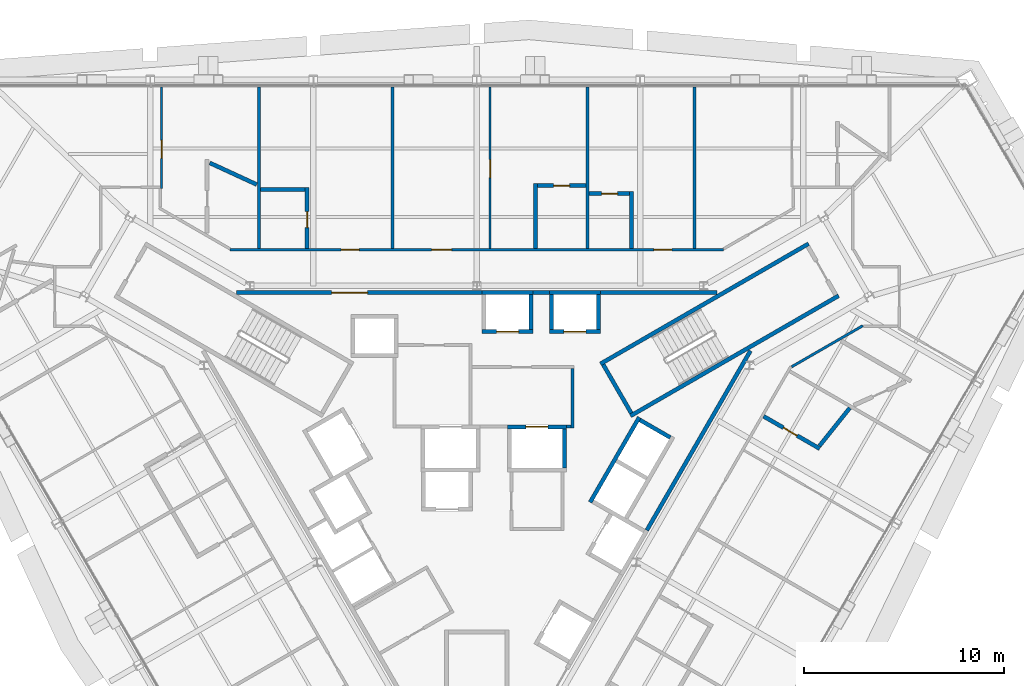
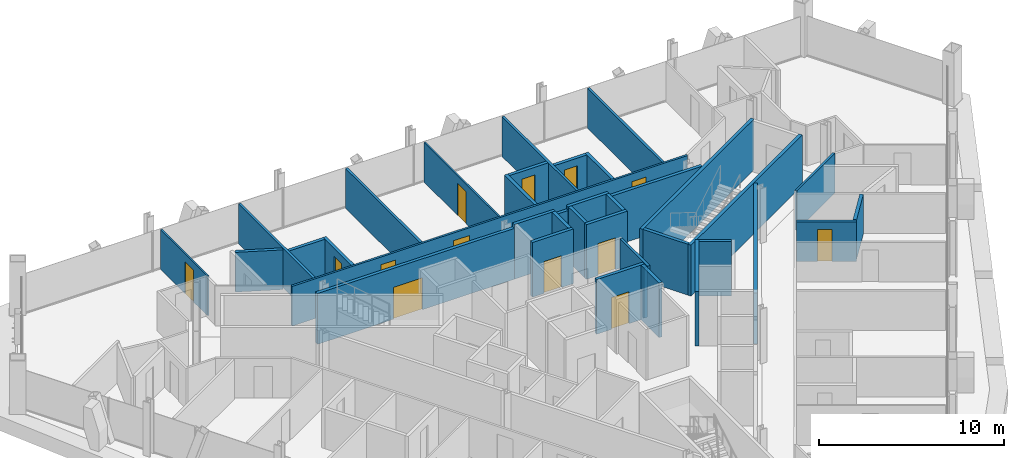
# One storey, part 16 of 19: 37 walls, 13 doors, 13 openings.
"""IFC4 building model written with IfcOpenShell, lengths in metres."""

from ifc_helpers import new_model, si_unit, direction, frame, frame_2d, origin, place, context, subcontext, project, spatial, rectangle, extrude, material, layer, layer_set, type_object, element, fill, save


model = new_model("IFC4")

# Units and contexts
model_context = context("Model", 3, precision=1e-05, world=origin(), true_north=direction((0.0, 1.0)))
body_context = subcontext(model_context, "Body", "Model", "MODEL_VIEW")
ifc_project = project(units=[si_unit("LENGTHUNIT", "METRE"), si_unit("AREAUNIT", "SQUARE_METRE"), si_unit("VOLUMEUNIT", "CUBIC_METRE"), si_unit("PLANEANGLEUNIT", "RADIAN"), si_unit("MASSUNIT", "GRAM", prefix="KILO")], contexts=[model_context])

# Site, building, storey
site_placement = place(None, origin())
site = spatial("IfcSite", under=ifc_project, at=site_placement, CompositionType="ELEMENT")
building_placement = place(site_placement, origin())
building = spatial("IfcBuilding", under=site, at=building_placement, Name="Verrane Prism Tower", CompositionType="ELEMENT")
storey_placement = place(building_placement, frame((0.0, 0.0, 125.199951171875)))
storey = spatial("IfcBuildingStorey", under=building, at=storey_placement, Name="L30", CompositionType="ELEMENT", Elevation=125.199951171875)

# Wall, opening, door
ifc_material_1 = material(Name="Gypsum board partition", Category="other")
ifc_layer_1 = layer(ifc_material_1, 0.199951171875)
ifc_layer_set_1 = layer_set([ifc_layer_1], Name="CW-200 core boundary wall 2 h")
wall_type_1 = type_object("IfcWallType", Name="CW-200 core boundary wall 2 h", PredefinedType="PARTITIONING", material=ifc_layer_set_1)
wall_1_placement = place(storey_placement, frame((0.262939453125, 8.860107421875, 0.0), z_axis=(0.0, 0.0, 1.0), x_axis=(-1.0, 0.0, 0.0)))
wall_1 = element("IfcWall", 1, at=wall_1_placement, inside=storey, type_object=wall_type_1, Name="Core boundary wall CW3-002", PredefinedType="PARTITIONING", context=body_context, shape_type="SweptSolid", body=[
    extrude(rectangle(XDim=12.25390625, YDim=0.199951171875, at=frame_2d((6.126953125, 0.0))), origin(), (0.0, 0.0, 1.0), 3.35009765625),
])
opening_1_placement = place(wall_1_placement, frame((5.708984375, 0.0, 0.0)))
opening_1 = element("IfcOpeningElement", 2, at=opening_1_placement, cuts=wall_1, Name="Opening D29511", PredefinedType="OPENING", context=body_context, shape_type="SweptSolid", body=[
    extrude(rectangle(XDim=1.800048828125, YDim=2.10009765625, at=frame_2d((0.89990234375, 1.050048828125))), frame((0.0, 0.10986328125, 0.0), z_axis=(0.0, -1.0, 0.0), x_axis=(1.0, 0.0, 0.0)), (0.0, 0.0, 1.0), 0.219970703125),
])
ifc_material_2 = material(Name="Timber veneered door leaf", Category="wood")
door_type_1 = type_object("IfcDoorType", Name="DR-1800x2100 FD60 double leaf lift lobby", OperationType="NOTDEFINED", PredefinedType="DOOR", material=ifc_material_2)
door_1_placement = place(opening_1_placement, origin())
door_1 = element("IfcDoor", 3, at=door_1_placement, inside=storey, type_object=door_type_1, Name="Lift lobby door D29511", OperationType="DOUBLE_DOOR_SINGLE_SWING", OverallHeight=2.10009765625, OverallWidth=1.800048828125, PredefinedType="DOOR", context=body_context, shape_type="SweptSolid", body=[
    extrude(rectangle(XDim=1.800048828125, YDim=2.10009765625, at=frame_2d((0.89990234375, 1.050048828125))), frame((0.0, 0.02490234375, 0.0), z_axis=(0.0, -1.0, 0.0), x_axis=(1.0, 0.0, 0.0)), (0.0, 0.0, 1.0), 0.050048828125),
])
fill(opening_1, door_1)

# Walls
wall_2_placement = place(storey_placement, frame((2.81689453125, 8.860107421875, 0.0), z_axis=(0.0, 0.0, 1.0), x_axis=(1.0, 0.0, 0.0)))
element("IfcWall", 4, at=wall_2_placement, inside=storey, type_object=wall_type_1, Name="Core boundary wall CW3-004", PredefinedType="PARTITIONING", context=body_context, shape_type="SweptSolid", body=[
    extrude(rectangle(XDim=0.80615234375, YDim=0.199951171875, at=frame_2d((0.403076171875, 0.0))), origin(), (0.0, 0.0, 1.0), 3.35009765625),
])
wall_3_placement = place(storey_placement, frame((6.177001953125, 8.860107421875, 0.0), z_axis=(0.0, 0.0, 1.0), x_axis=(1.0, 0.0, 0.0)))
element("IfcWall", 5, at=wall_3_placement, inside=storey, type_object=wall_type_1, Name="Core boundary wall CW3-006", PredefinedType="PARTITIONING", context=body_context, shape_type="SweptSolid", body=[
    extrude(rectangle(XDim=5.81396484375, YDim=0.199951171875, at=frame_2d((2.906982421875, 0.0))), origin(), (0.0, 0.0, 1.0), 3.35009765625),
])
wall_4_placement = place(storey_placement, frame((8.491943359375, -3.011962890625, 0.0), z_axis=(0.0, 0.0, 1.0), x_axis=(0.499972957231, 0.866041016371, 0.0)))
element("IfcWall", 6, at=wall_4_placement, inside=storey, type_object=wall_type_1, Name="Core boundary wall CW3-007", PredefinedType="PARTITIONING", context=body_context, shape_type="SweptSolid", body=[
    extrude(rectangle(XDim=10.3486328125, YDim=0.199951171875, at=frame_2d((5.17431640625, 0.0))), origin(), (0.0, 0.0, 1.0), 3.35009765625),
])
ifc_material_3 = material(Name="Concrete C40/50", Category="concrete")
ifc_layer_2 = layer(ifc_material_3, 0.199951171875)
ifc_layer_set_2 = layer_set([ifc_layer_2], Name="CW-200 stair core wall concrete C40/50 3 h")
wall_type_2 = type_object("IfcWallType", Name="CW-200 stair core wall concrete C40/50 3 h", PredefinedType="PARTITIONING", material=ifc_layer_set_2)
for number, where, z_axis, x_axis, name in (
    (7, (6.17822265625, 5.299072265625, 0.0), (0.0, 0.0, 1.0), (0.866026010844, 0.49999894854, 0.0), "Stair 1 enclosure wall"),
    (8, (7.67822265625, 2.700927734375, 0.0), (0.0, 0.0, 1.0), (0.866026010844, 0.49999894854, 0.0), "Stair 1 enclosure wall"),
):
    element("IfcWall", number, at=place(storey_placement, frame(where, z_axis=z_axis, x_axis=x_axis)), inside=storey, type_object=wall_type_2, Name=name, PredefinedType="PARTITIONING", context=body_context, shape_type="SweptSolid", body=[
        extrude(rectangle(XDim=12.0, YDim=0.199951171875, at=frame_2d((6.0, 0.0))), origin(), (0.0, 0.0, 1.0), 3.35009765625),
    ])
wall_5_placement = place(storey_placement, frame((7.71484375, 2.837646484375, 0.0), z_axis=(0.0, 0.0, 1.0), x_axis=(-0.500049511043, 0.865996816683, 0.0)))
element("IfcWall", 9, at=wall_5_placement, inside=storey, type_object=wall_type_2, Name="Stair 1 enclosure wall", PredefinedType="PARTITIONING", context=body_context, shape_type="SweptSolid", body=[
    extrude(rectangle(XDim=2.800048828125, YDim=0.199951171875, at=frame_2d((1.39990234375, 0.0))), origin(), (0.0, 0.0, 1.0), 3.35009765625),
])

# Wall, opening, door
ifc_material_4 = material(Name="Gypsum board shaft wall assembly", Category="other")
ifc_layer_3 = layer(ifc_material_4, 0.199951171875)
ifc_layer_set_3 = layer_set([ifc_layer_3], Name="HW-200 lift shaft wall 2 h")
wall_type_3 = type_object("IfcWallType", Name="HW-200 lift shaft wall 2 h", PredefinedType="PARTITIONING", material=ifc_layer_set_3)
wall_6_placement = place(storey_placement, frame((1.52490234375, 2.14990234375, 0.0), z_axis=(0.0, 0.0, 1.0), x_axis=(1.0, 0.0, 0.0)))
wall_6 = element("IfcWall", 10, at=wall_6_placement, inside=storey, type_object=wall_type_3, Name="Lift shaft wall", PredefinedType="PARTITIONING", context=body_context, shape_type="SweptSolid", body=[
    extrude(rectangle(XDim=2.9501953125, YDim=0.199951171875, at=frame_2d((1.47509765625, 0.0))), origin(), (0.0, 0.0, 1.0), 3.60009765625),
])
opening_2_placement = place(wall_6_placement, frame((0.925048828125, 0.0, 0.0)))
opening_2 = element("IfcOpeningElement", 11, at=opening_2_placement, cuts=wall_6, Name="Opening D29509", PredefinedType="OPENING", context=body_context, shape_type="SweptSolid", body=[
    extrude(rectangle(XDim=1.10009765625, YDim=2.10009765625, at=frame_2d((0.550048828125, 1.050048828125))), frame((0.0, 0.10986328125, 0.0), z_axis=(0.0, -1.0, 0.0), x_axis=(1.0, 0.0, 0.0)), (0.0, 0.0, 1.0), 0.219970703125),
])
ifc_material_5 = material(Name="Stainless steel sliding landing door", Category="steel")
door_type_2 = type_object("IfcDoorType", Name="LD-1100x2100 lift landing door FD90 sliding", OperationType="NOTDEFINED", PredefinedType="DOOR", material=ifc_material_5)
door_2_placement = place(opening_2_placement, origin())
door_2 = element("IfcDoor", 12, at=door_2_placement, inside=storey, type_object=door_type_2, Name="Fire service lift 2 landing door", OperationType="SLIDING_TO_RIGHT", OverallHeight=2.10009765625, OverallWidth=1.10009765625, PredefinedType="DOOR", context=body_context, shape_type="SweptSolid", body=[
    extrude(rectangle(XDim=1.10009765625, YDim=2.10009765625, at=frame_2d((0.550048828125, 1.050048828125))), frame((0.0, 0.02490234375, 0.0), z_axis=(0.0, -1.0, 0.0), x_axis=(1.0, 0.0, 0.0)), (0.0, 0.0, 1.0), 0.050048828125),
])
fill(opening_2, door_2)

wall_7_placement = place(storey_placement, frame((0.264892578125, 6.909912109375, 0.0), z_axis=(0.0, 0.0, 1.0), x_axis=(1.0, 0.0, 0.0)))
wall_7 = element("IfcWall", 13, at=wall_7_placement, inside=storey, type_object=wall_type_3, Name="Lift shaft wall", PredefinedType="PARTITIONING", context=body_context, shape_type="SweptSolid", body=[
    extrude(rectangle(XDim=2.550048828125, YDim=0.199951171875, at=frame_2d((1.27490234375, 0.0))), origin(), (0.0, 0.0, 1.0), 3.60009765625),
])
opening_3_placement = place(wall_7_placement, frame((0.72509765625, 0.0, 0.0)))
opening_3 = element("IfcOpeningElement", 14, at=opening_3_placement, cuts=wall_7, Name="Opening D29503", PredefinedType="OPENING", context=body_context, shape_type="SweptSolid", body=[
    extrude(rectangle(XDim=1.10009765625, YDim=2.10009765625, at=frame_2d((0.550048828125, 1.050048828125))), frame((0.0, 0.10986328125, 0.0), z_axis=(0.0, -1.0, 0.0), x_axis=(1.0, 0.0, 0.0)), (0.0, 0.0, 1.0), 0.219970703125),
])
door_3_placement = place(opening_3_placement, origin())
door_3 = element("IfcDoor", 15, at=door_3_placement, inside=storey, type_object=door_type_2, Name="Bank A lift 1 landing door", OperationType="SLIDING_TO_LEFT", OverallHeight=2.10009765625, OverallWidth=1.10009765625, PredefinedType="DOOR", context=body_context, shape_type="SweptSolid", body=[
    extrude(rectangle(XDim=1.10009765625, YDim=2.10009765625, at=frame_2d((0.550048828125, 1.050048828125))), frame((0.0, 0.02490234375, 0.0), z_axis=(0.0, -1.0, 0.0), x_axis=(1.0, 0.0, 0.0)), (0.0, 0.0, 1.0), 0.050048828125),
])
fill(opening_3, door_3)

wall_8_placement = place(storey_placement, frame((3.625, 6.909912109375, 0.0), z_axis=(0.0, 0.0, 1.0), x_axis=(1.0, 0.0, 0.0)))
wall_8 = element("IfcWall", 16, at=wall_8_placement, inside=storey, type_object=wall_type_3, Name="Lift shaft wall", PredefinedType="PARTITIONING", context=body_context, shape_type="SweptSolid", body=[
    extrude(rectangle(XDim=2.550048828125, YDim=0.199951171875, at=frame_2d((1.27490234375, 0.0))), origin(), (0.0, 0.0, 1.0), 3.60009765625),
])
opening_4_placement = place(wall_8_placement, frame((0.72509765625, 0.0, 0.0)))
opening_4 = element("IfcOpeningElement", 17, at=opening_4_placement, cuts=wall_8, Name="Opening D29505", PredefinedType="OPENING", context=body_context, shape_type="SweptSolid", body=[
    extrude(rectangle(XDim=1.10009765625, YDim=2.10009765625, at=frame_2d((0.550048828125, 1.050048828125))), frame((0.0, 0.10986328125, 0.0), z_axis=(0.0, -1.0, 0.0), x_axis=(1.0, 0.0, 0.0)), (0.0, 0.0, 1.0), 0.219970703125),
])
door_4_placement = place(opening_4_placement, origin())
door_4 = element("IfcDoor", 18, at=door_4_placement, inside=storey, type_object=door_type_2, Name="Bank A lift 3 landing door", OperationType="SLIDING_TO_LEFT", OverallHeight=2.10009765625, OverallWidth=1.10009765625, PredefinedType="DOOR", context=body_context, shape_type="SweptSolid", body=[
    extrude(rectangle(XDim=1.10009765625, YDim=2.10009765625, at=frame_2d((0.550048828125, 1.050048828125))), frame((0.0, 0.02490234375, 0.0), z_axis=(0.0, -1.0, 0.0), x_axis=(1.0, 0.0, 0.0)), (0.0, 0.0, 1.0), 0.050048828125),
])
fill(opening_4, door_4)

# Walls
for number, where, z_axis, x_axis, name in (
    (19, (0.264892578125, 8.860107421875, 0.0), (0.0, 0.0, 1.0), (1.0, 0.0, 0.0), "Lift shaft wall"),
    (20, (3.625, 8.860107421875, 0.0), (0.0, 0.0, 1.0), (1.0, 0.0, 0.0), "Lift shaft wall"),
):
    element("IfcWall", number, at=place(storey_placement, frame(where, z_axis=z_axis, x_axis=x_axis)), inside=storey, type_object=wall_type_3, Name=name, PredefinedType="PARTITIONING", context=body_context, shape_type="SweptSolid", body=[
        extrude(rectangle(XDim=2.550048828125, YDim=0.199951171875, at=frame_2d((1.27490234375, 0.0))), origin(), (0.0, 0.0, 1.0), 3.60009765625),
    ])
wall_9_placement = place(storey_placement, frame((5.66259765625, -1.6123046875, 0.0), z_axis=(0.0, 0.0, 1.0), x_axis=(0.49998122708, 0.866036242063, 0.0)))
element("IfcWall", 21, at=wall_9_placement, inside=storey, type_object=wall_type_3, Name="Lift shaft wall", PredefinedType="PARTITIONING", context=body_context, shape_type="SweptSolid", body=[
    extrude(rectangle(XDim=4.900146484375, YDim=0.199951171875, at=frame_2d((2.4501953125, 0.0))), origin(), (0.0, 0.0, 1.0), 3.60009765625),
])
wall_10_placement = place(storey_placement, frame((6.074951171875, 7.010009765625, 0.0), z_axis=(0.0, 0.0, 1.0), x_axis=(0.0, 1.0, 0.0)))
element("IfcWall", 22, at=wall_10_placement, inside=storey, type_object=wall_type_3, Name="Lift shaft wall", PredefinedType="PARTITIONING", context=body_context, shape_type="SweptSolid", body=[
    extrude(rectangle(XDim=1.75, YDim=0.199951171875, at=frame_2d((0.875, 0.0))), origin(), (0.0, 0.0, 1.0), 3.60009765625),
])
wall_11_placement = place(storey_placement, frame((4.375, 0.10009765625, 0.0), z_axis=(0.0, 0.0, 1.0), x_axis=(0.0, 1.0, 0.0)))
element("IfcWall", 23, at=wall_11_placement, inside=storey, type_object=wall_type_3, Name="Lift shaft wall", PredefinedType="PARTITIONING", context=body_context, shape_type="SweptSolid", body=[
    extrude(rectangle(XDim=1.949951171875, YDim=0.199951171875, at=frame_2d((0.97509765625, 0.0))), origin(), (0.0, 0.0, 1.0), 3.60009765625),
])
for number, where, z_axis, x_axis, name in (
    (24, (3.72509765625, 7.010009765625, 0.0), (0.0, 0.0, 1.0), (0.0, 1.0, 0.0), "Lift shaft wall"),
    (25, (2.715087890625, 7.010009765625, 0.0), (0.0, 0.0, 1.0), (0.0, 1.0, 0.0), "Lift shaft wall"),
):
    element("IfcWall", number, at=place(storey_placement, frame(where, z_axis=z_axis, x_axis=x_axis)), inside=storey, type_object=wall_type_3, Name=name, PredefinedType="PARTITIONING", context=body_context, shape_type="SweptSolid", body=[
        extrude(rectangle(XDim=1.75, YDim=0.199951171875, at=frame_2d((0.875, 0.0))), origin(), (0.0, 0.0, 1.0), 3.60009765625),
    ])
wall_12_placement = place(storey_placement, frame((9.66455078125, 1.61962890625, 0.0), z_axis=(0.0, 0.0, 1.0), x_axis=(-0.866002029911, 0.500040482552, 0.0)))
element("IfcWall", 26, at=wall_12_placement, inside=storey, type_object=wall_type_3, Name="Lift shaft wall", PredefinedType="PARTITIONING", context=body_context, shape_type="SweptSolid", body=[
    extrude(rectangle(XDim=1.749755859375, YDim=0.199951171875, at=frame_2d((0.875, 0.0))), origin(), (0.0, 0.0, 1.0), 3.60009765625),
])
ifc_material_6 = material(Name="Gypsum board partition", Category="other")
ifc_layer_4 = layer(ifc_material_6, 0.14990234375)
ifc_layer_set_4 = layer_set([ifc_layer_4], Name="LF-150 firefighting lobby wall 1 h")
wall_type_4 = type_object("IfcWallType", Name="LF-150 firefighting lobby wall 1 h", PredefinedType="PARTITIONING", material=ifc_layer_set_4)
wall_13_placement = place(storey_placement, frame((4.47705078125, 2.159912109375, 0.0), z_axis=(0.0, 0.0, 1.0), x_axis=(1.0, 0.0, 0.0)))
element("IfcWall", 27, at=wall_13_placement, inside=storey, type_object=wall_type_4, Name="Firefighting lobby wall LF1-007", PredefinedType="PARTITIONING", context=body_context, shape_type="SweptSolid", body=[
    extrude(rectangle(XDim=0.238037109375, YDim=0.14990234375, at=frame_2d((0.119140625, 0.0))), origin(), (0.0, 0.0, 1.0), 3.35009765625),
])
wall_14_placement = place(storey_placement, frame((4.7900390625, 2.0849609375, 0.0), z_axis=(0.0, 0.0, 1.0), x_axis=(0.0, 1.0, 0.0)))
element("IfcWall", 28, at=wall_14_placement, inside=storey, type_object=wall_type_4, Name="Firefighting lobby wall LF1-008", PredefinedType="PARTITIONING", context=body_context, shape_type="SweptSolid", body=[
    extrude(rectangle(XDim=2.97998046875, YDim=0.14990234375, at=frame_2d((1.489990234375, 0.0))), origin(), (0.0, 0.0, 1.0), 3.35009765625),
])

# Wall, opening, door
ifc_material_7 = material(Name="Gypsum board partition", Category="other")
ifc_layer_5 = layer(ifc_material_7, 0.10009765625)
ifc_layer_set_5 = layer_set([ifc_layer_5], Name="PW-100 room partition")
wall_type_5 = type_object("IfcWallType", Name="PW-100 room partition", PredefinedType="PARTITIONING", material=ifc_layer_set_5)
wall_15_placement = place(storey_placement, frame((-15.740966796875, 19.114990234375, 0.0), z_axis=(0.0, 0.0, 1.0), x_axis=(0.0, -1.0, 0.0)))
wall_15 = element("IfcWall", 29, at=wall_15_placement, inside=storey, type_object=wall_type_5, Name="Room partition 020", PredefinedType="PARTITIONING", context=body_context, shape_type="SweptSolid", body=[
    extrude(rectangle(XDim=5.050048828125, YDim=0.10009765625, at=frame_2d((2.52490234375, 0.0))), origin(), (0.0, 0.0, 1.0), 2.613037109375),
])
opening_5_placement = place(wall_15_placement, frame((2.65087890625, 0.0, 0.0)))
opening_5 = element("IfcOpeningElement", 30, at=opening_5_placement, cuts=wall_15, Name="Opening D29012", PredefinedType="OPENING", context=body_context, shape_type="SweptSolid", body=[
    extrude(rectangle(XDim=0.89990234375, YDim=2.10009765625, at=frame_2d((0.449951171875, 1.050048828125))), frame((0.0, 0.06005859375, 0.0), z_axis=(0.0, -1.0, 0.0), x_axis=(1.0, 0.0, 0.0)), (0.0, 0.0, 1.0), 0.1201171875),
])
ifc_material_8 = material(Name="Timber veneered door leaf", Category="wood")
door_type_3 = type_object("IfcDoorType", Name="DR-900x2100 single leaf inner", OperationType="NOTDEFINED", PredefinedType="DOOR", material=ifc_material_8)
door_5_placement = place(opening_5_placement, origin())
door_5 = element("IfcDoor", 31, at=door_5_placement, inside=storey, type_object=door_type_3, Name="Suite Living Room door", OperationType="SINGLE_SWING_LEFT", OverallHeight=2.10009765625, OverallWidth=0.89990234375, PredefinedType="DOOR", context=body_context, shape_type="SweptSolid", body=[
    extrude(rectangle(XDim=0.89990234375, YDim=2.10009765625, at=frame_2d((0.449951171875, 1.050048828125))), frame((0.0, 0.02490234375, 0.0), z_axis=(0.0, -1.0, 0.0), x_axis=(1.0, 0.0, 0.0)), (0.0, 0.0, 1.0), 0.050048828125),
])
fill(opening_5, door_5)

wall_16_placement = place(storey_placement, frame((0.6669921875, 19.114990234375, 0.0), z_axis=(0.0, 0.0, 1.0), x_axis=(0.0, -1.0, 0.0)))
wall_16 = element("IfcWall", 32, at=wall_16_placement, inside=storey, type_object=wall_type_5, Name="Room partition 041", PredefinedType="PARTITIONING", context=body_context, shape_type="SweptSolid", body=[
    extrude(rectangle(XDim=8.052490234375, YDim=0.10009765625, at=frame_2d((4.0263671875, 0.0))), origin(), (0.0, 0.0, 1.0), 2.613037109375),
])
opening_6_placement = place(wall_16_placement, frame((3.614990234375, 0.0, 0.0)))
opening_6 = element("IfcOpeningElement", 33, at=opening_6_placement, cuts=wall_16, Name="Opening D29007", PredefinedType="OPENING", context=body_context, shape_type="SweptSolid", body=[
    extrude(rectangle(XDim=0.89990234375, YDim=2.10009765625, at=frame_2d((0.449951171875, 1.050048828125))), frame((0.0, 0.06005859375, 0.0), z_axis=(0.0, -1.0, 0.0), x_axis=(1.0, 0.0, 0.0)), (0.0, 0.0, 1.0), 0.1201171875),
])
door_6_placement = place(opening_6_placement, origin())
door_6 = element("IfcDoor", 34, at=door_6_placement, inside=storey, type_object=door_type_3, Name="Suite Living Room door", OperationType="SINGLE_SWING_RIGHT", OverallHeight=2.10009765625, OverallWidth=0.89990234375, PredefinedType="DOOR", context=body_context, shape_type="SweptSolid", body=[
    extrude(rectangle(XDim=0.89990234375, YDim=2.10009765625, at=frame_2d((0.449951171875, 1.050048828125))), frame((0.0, 0.02490234375, 0.0), z_axis=(0.0, -1.0, 0.0), x_axis=(1.0, 0.0, 0.0)), (0.0, 0.0, 1.0), 0.050048828125),
])
fill(opening_6, door_6)

# Wall, openings, doors
ifc_material_9 = material(Name="Gypsum board partition", Category="other")
ifc_layer_6 = layer(ifc_material_9, 0.125)
ifc_layer_set_6 = layer_set([ifc_layer_6], Name="PW-125 corridor wall 1 h")
wall_type_6 = type_object("IfcWallType", Name="PW-125 corridor wall 1 h", PredefinedType="PARTITIONING", material=ifc_layer_set_6)
wall_17_placement = place(storey_placement, frame((-12.3154296875, 11.0, 0.0), z_axis=(0.0, 0.0, 1.0), x_axis=(1.0, 0.0, 0.0)))
wall_17 = element("IfcWall", 35, at=wall_17_placement, inside=storey, type_object=wall_type_6, Name="Corridor wall 028", PredefinedType="PARTITIONING", context=body_context, shape_type="SweptSolid", body=[
    extrude(rectangle(XDim=24.630859375, YDim=0.125, at=frame_2d((12.3154296875, 0.0))), origin(), (0.0, 0.0, 1.0), 2.613037109375),
])
opening_7_placement = place(wall_17_placement, frame((21.153564453125, 0.0, 0.0)))
opening_7 = element("IfcOpeningElement", 36, at=opening_7_placement, cuts=wall_17, Name="Opening D29004", PredefinedType="OPENING", context=body_context, shape_type="SweptSolid", body=[
    extrude(rectangle(XDim=0.89990234375, YDim=2.10009765625, at=frame_2d((0.449951171875, 1.050048828125))), frame((0.0, 0.072509765625, 0.0), z_axis=(0.0, -1.0, 0.0), x_axis=(1.0, 0.0, 0.0)), (0.0, 0.0, 1.0), 0.14501953125),
])
opening_8_placement = place(wall_17_placement, frame((10.0615234375, 0.0, 0.0)))
opening_8 = element("IfcOpeningElement", 37, at=opening_8_placement, cuts=wall_17, Name="Opening D29006", PredefinedType="OPENING", context=body_context, shape_type="SweptSolid", body=[
    extrude(rectangle(XDim=1.0, YDim=2.10009765625, at=frame_2d((0.5, 1.050048828125))), frame((0.0, 0.072509765625, 0.0), z_axis=(0.0, -1.0, 0.0), x_axis=(1.0, 0.0, 0.0)), (0.0, 0.0, 1.0), 0.14501953125),
])
opening_9_placement = place(wall_17_placement, frame((5.54541015625, 0.0, 0.0)))
opening_9 = element("IfcOpeningElement", 38, at=opening_9_placement, cuts=wall_17, Name="Opening D29009", PredefinedType="OPENING", context=body_context, shape_type="SweptSolid", body=[
    extrude(rectangle(XDim=0.89990234375, YDim=2.10009765625, at=frame_2d((0.449951171875, 1.050048828125))), frame((0.0, 0.072509765625, 0.0), z_axis=(0.0, -1.0, 0.0), x_axis=(1.0, 0.0, 0.0)), (0.0, 0.0, 1.0), 0.14501953125),
])
ifc_material_10 = material(Name="Timber veneered door leaf", Category="wood")
door_type_4 = type_object("IfcDoorType", Name="DR-1000x2100 FD20 single leaf unit", OperationType="NOTDEFINED", PredefinedType="DOOR", material=ifc_material_10)
door_7_placement = place(opening_8_placement, origin())
door_7 = element("IfcDoor", 39, at=door_7_placement, inside=storey, type_object=door_type_4, Name="Suite Living Room door", OperationType="SINGLE_SWING_RIGHT", OverallHeight=2.10009765625, OverallWidth=1.0, PredefinedType="DOOR", context=body_context, shape_type="SweptSolid", body=[
    extrude(rectangle(XDim=1.0, YDim=2.10009765625, at=frame_2d((0.5, 1.050048828125))), frame((0.0, 0.02490234375, 0.0), z_axis=(0.0, -1.0, 0.0), x_axis=(1.0, 0.0, 0.0)), (0.0, 0.0, 1.0), 0.050048828125),
])
fill(opening_8, door_7)
ifc_material_11 = material(Name="Timber veneered door leaf", Category="wood")
door_type_5 = type_object("IfcDoorType", Name="DR-900x2100 FD20 single leaf unit", OperationType="NOTDEFINED", PredefinedType="DOOR", material=ifc_material_11)
door_8_placement = place(opening_7_placement, origin())
door_8 = element("IfcDoor", 40, at=door_8_placement, inside=storey, type_object=door_type_5, Name="Guest Room door", OperationType="SINGLE_SWING_RIGHT", OverallHeight=2.10009765625, OverallWidth=0.89990234375, PredefinedType="DOOR", context=body_context, shape_type="SweptSolid", body=[
    extrude(rectangle(XDim=0.89990234375, YDim=2.10009765625, at=frame_2d((0.449951171875, 1.050048828125))), frame((0.0, 0.02490234375, 0.0), z_axis=(0.0, -1.0, 0.0), x_axis=(1.0, 0.0, 0.0)), (0.0, 0.0, 1.0), 0.050048828125),
])
fill(opening_7, door_8)
door_9_placement = place(opening_9_placement, origin())
door_9 = element("IfcDoor", 41, at=door_9_placement, inside=storey, type_object=door_type_5, Name="Junior Suite door", OperationType="SINGLE_SWING_LEFT", OverallHeight=2.10009765625, OverallWidth=0.89990234375, PredefinedType="DOOR", context=body_context, shape_type="SweptSolid", body=[
    extrude(rectangle(XDim=0.89990234375, YDim=2.10009765625, at=frame_2d((0.449951171875, 1.050048828125))), frame((0.0, 0.02490234375, 0.0), z_axis=(0.0, -1.0, 0.0), x_axis=(1.0, 0.0, 0.0)), (0.0, 0.0, 1.0), 0.050048828125),
])
fill(opening_9, door_9)

# Walls
wall_18_placement = place(storey_placement, frame((15.7265625, 5.153564453125, 0.0), z_axis=(0.0, 0.0, 1.0), x_axis=(0.865992261418, 0.50005739987, 0.0)))
element("IfcWall", 42, at=wall_18_placement, inside=storey, type_object=wall_type_6, Name="Corridor wall 065", PredefinedType="PARTITIONING", context=body_context, shape_type="SweptSolid", body=[
    extrude(rectangle(XDim=4.10107421875, YDim=0.125, at=frame_2d((2.050537109375, 0.0))), origin(), (0.0, 0.0, 1.0), 2.613037109375),
])
ifc_material_12 = material(Name="Gypsum board partition", Category="other")
ifc_layer_7 = layer(ifc_material_12, 0.14990234375)
ifc_layer_set_7 = layer_set([ifc_layer_7], Name="PW-150 demising wall 1 h")
wall_type_7 = type_object("IfcWallType", Name="PW-150 demising wall 1 h", PredefinedType="PARTITIONING", material=ifc_layer_set_7)
for number, where, z_axis, x_axis, name in (
    (43, (-10.8701171875, 11.0625, 0.0), (0.0, 0.0, 1.0), (0.0, 1.0, 0.0), "Demising wall 029"),
    (44, (-4.2041015625, 11.0625, 0.0), (0.0, 0.0, 1.0), (0.0, 1.0, 0.0), "Demising wall 038"),
    (45, (5.5380859375, 11.0625, 0.0), (0.0, 0.0, 1.0), (0.0, 1.0, 0.0), "Demising wall 049"),
    (46, (10.8701171875, 11.0625, 0.0), (0.0, 0.0, 1.0), (0.0, 1.0, 0.0), "Demising wall 059"),
):
    element("IfcWall", number, at=place(storey_placement, frame(where, z_axis=z_axis, x_axis=x_axis)), inside=storey, type_object=wall_type_7, Name=name, PredefinedType="PARTITIONING", context=body_context, shape_type="SweptSolid", body=[
        extrude(rectangle(XDim=8.052490234375, YDim=0.14990234375, at=frame_2d((4.0263671875, 0.0))), origin(), (0.0, 0.0, 1.0), 2.613037109375),
    ])
ifc_material_13 = material(Name="Gypsum board partition", Category="other")
ifc_layer_8 = layer(ifc_material_13, 0.199951171875)
ifc_layer_set_8 = layer_set([ifc_layer_8], Name="PW-200 plumbing wall")
wall_type_8 = type_object("IfcWallType", Name="PW-200 plumbing wall", PredefinedType="PARTITIONING", material=ifc_layer_set_8)
wall_19_placement = place(storey_placement, frame((-13.329345703125, 15.333251953125, 0.0), z_axis=(0.0, 0.0, 1.0), x_axis=(0.908227929569, -0.418475839148, 0.0)))
element("IfcWall", 47, at=wall_19_placement, inside=storey, type_object=wall_type_8, Name="Plumbing wall 026", PredefinedType="PARTITIONING", context=body_context, shape_type="SweptSolid", body=[
    extrude(rectangle(XDim=2.579345703125, YDim=0.199951171875, at=frame_2d((1.28955078125, 0.0))), origin(), (0.0, 0.0, 1.0), 2.613037109375),
])
wall_20_placement = place(storey_placement, frame((-10.794921875, 14.0, 0.0), z_axis=(0.0, 0.0, 1.0), x_axis=(1.0, 0.0, 0.0)))
element("IfcWall", 48, at=wall_20_placement, inside=storey, type_object=wall_type_8, Name="Plumbing wall 030", PredefinedType="PARTITIONING", context=body_context, shape_type="SweptSolid", body=[
    extrude(rectangle(XDim=2.224853515625, YDim=0.199951171875, at=frame_2d((1.1123046875, 0.0))), origin(), (0.0, 0.0, 1.0), 2.613037109375),
])

# Wall, opening, door
wall_21_placement = place(storey_placement, frame((-8.469970703125, 11.0625, 0.0), z_axis=(0.0, 0.0, 1.0), x_axis=(0.0, 1.0, 0.0)))
wall_21 = element("IfcWall", 49, at=wall_21_placement, inside=storey, type_object=wall_type_8, Name="Plumbing wall 034", PredefinedType="PARTITIONING", context=body_context, shape_type="SweptSolid", body=[
    extrude(rectangle(XDim=3.03759765625, YDim=0.199951171875, at=frame_2d((1.518798828125, 0.0))), origin(), (0.0, 0.0, 1.0), 2.613037109375),
])
opening_10_placement = place(wall_21_placement, frame((1.03759765625, 0.0, 0.0)))
opening_10 = element("IfcOpeningElement", 50, at=opening_10_placement, cuts=wall_21, Name="Opening D29010", PredefinedType="OPENING", context=body_context, shape_type="SweptSolid", body=[
    extrude(rectangle(XDim=0.800048828125, YDim=2.10009765625, at=frame_2d((0.39990234375, 1.050048828125))), frame((0.0, 0.10986328125, 0.0), z_axis=(0.0, -1.0, 0.0), x_axis=(1.0, 0.0, 0.0)), (0.0, 0.0, 1.0), 0.219970703125),
])
ifc_material_14 = material(Name="Timber veneered door leaf", Category="wood")
door_type_6 = type_object("IfcDoorType", Name="DR-800x2100 single leaf bath", OperationType="NOTDEFINED", PredefinedType="DOOR", material=ifc_material_14)
door_10_placement = place(opening_10_placement, origin())
door_10 = element("IfcDoor", 51, at=door_10_placement, inside=storey, type_object=door_type_6, Name="En-Suite door", OperationType="SINGLE_SWING_RIGHT", OverallHeight=2.10009765625, OverallWidth=0.800048828125, PredefinedType="DOOR", context=body_context, shape_type="SweptSolid", body=[
    extrude(rectangle(XDim=0.800048828125, YDim=2.10009765625, at=frame_2d((0.39990234375, 1.050048828125))), frame((0.0, 0.02490234375, 0.0), z_axis=(0.0, -1.0, 0.0), x_axis=(1.0, 0.0, 0.0)), (0.0, 0.0, 1.0), 0.050048828125),
])
fill(opening_10, door_10)

# Wall
wall_22_placement = place(storey_placement, frame((2.93798828125, 11.0625, 0.0), z_axis=(0.0, 0.0, 1.0), x_axis=(0.0, 1.0, 0.0)))
element("IfcWall", 52, at=wall_22_placement, inside=storey, type_object=wall_type_8, Name="Plumbing wall 042", PredefinedType="PARTITIONING", context=body_context, shape_type="SweptSolid", body=[
    extrude(rectangle(XDim=3.237548828125, YDim=0.199951171875, at=frame_2d((1.61865234375, 0.0))), origin(), (0.0, 0.0, 1.0), 2.613037109375),
])

# Wall, opening, door
wall_23_placement = place(storey_placement, frame((5.462890625, 14.199951171875, 0.0), z_axis=(0.0, 0.0, 1.0), x_axis=(-1.0, 0.0, 0.0)))
wall_23 = element("IfcWall", 53, at=wall_23_placement, inside=storey, type_object=wall_type_8, Name="Plumbing wall 043", PredefinedType="PARTITIONING", context=body_context, shape_type="SweptSolid", body=[
    extrude(rectangle(XDim=2.4248046875, YDim=0.199951171875, at=frame_2d((1.21240234375, 0.0))), origin(), (0.0, 0.0, 1.0), 2.613037109375),
])
opening_11_placement = place(wall_23_placement, frame((0.824951171875, 0.0, 0.0)))
opening_11 = element("IfcOpeningElement", 54, at=opening_11_placement, cuts=wall_23, Name="Opening D29008", PredefinedType="OPENING", context=body_context, shape_type="SweptSolid", body=[
    extrude(rectangle(XDim=0.800048828125, YDim=2.10009765625, at=frame_2d((0.39990234375, 1.050048828125))), frame((0.0, 0.10986328125, 0.0), z_axis=(0.0, -1.0, 0.0), x_axis=(1.0, 0.0, 0.0)), (0.0, 0.0, 1.0), 0.219970703125),
])
door_11_placement = place(opening_11_placement, origin())
door_11 = element("IfcDoor", 55, at=door_11_placement, inside=storey, type_object=door_type_6, Name="En-Suite door", OperationType="SINGLE_SWING_LEFT", OverallHeight=2.10009765625, OverallWidth=0.800048828125, PredefinedType="DOOR", context=body_context, shape_type="SweptSolid", body=[
    extrude(rectangle(XDim=0.800048828125, YDim=2.10009765625, at=frame_2d((0.39990234375, 1.050048828125))), frame((0.0, 0.02490234375, 0.0), z_axis=(0.0, -1.0, 0.0), x_axis=(1.0, 0.0, 0.0)), (0.0, 0.0, 1.0), 0.050048828125),
])
fill(opening_11, door_11)

wall_24_placement = place(storey_placement, frame((7.637939453125, 13.800048828125, 0.0), z_axis=(0.0, 0.0, 1.0), x_axis=(-1.0, 0.0, 0.0)))
wall_24 = element("IfcWall", 56, at=wall_24_placement, inside=storey, type_object=wall_type_8, Name="Plumbing wall 050", PredefinedType="PARTITIONING", context=body_context, shape_type="SweptSolid", body=[
    extrude(rectangle(XDim=2.02490234375, YDim=0.199951171875, at=frame_2d((1.012451171875, 0.0))), origin(), (0.0, 0.0, 1.0), 2.613037109375),
])
opening_12_placement = place(wall_24_placement, frame((0.60009765625, 0.0, 0.0)))
opening_12 = element("IfcOpeningElement", 57, at=opening_12_placement, cuts=wall_24, Name="Opening D29005", PredefinedType="OPENING", context=body_context, shape_type="SweptSolid", body=[
    extrude(rectangle(XDim=0.800048828125, YDim=2.10009765625, at=frame_2d((0.39990234375, 1.050048828125))), frame((0.0, 0.10986328125, 0.0), z_axis=(0.0, -1.0, 0.0), x_axis=(1.0, 0.0, 0.0)), (0.0, 0.0, 1.0), 0.219970703125),
])
door_12_placement = place(opening_12_placement, origin())
door_12 = element("IfcDoor", 58, at=door_12_placement, inside=storey, type_object=door_type_6, Name="En-Suite door", OperationType="SINGLE_SWING_RIGHT", OverallHeight=2.10009765625, OverallWidth=0.800048828125, PredefinedType="DOOR", context=body_context, shape_type="SweptSolid", body=[
    extrude(rectangle(XDim=0.800048828125, YDim=2.10009765625, at=frame_2d((0.39990234375, 1.050048828125))), frame((0.0, 0.02490234375, 0.0), z_axis=(0.0, -1.0, 0.0), x_axis=(1.0, 0.0, 0.0)), (0.0, 0.0, 1.0), 0.050048828125),
])
fill(opening_12, door_12)

# Wall
wall_25_placement = place(storey_placement, frame((7.738037109375, 11.0625, 0.0), z_axis=(0.0, 0.0, 1.0), x_axis=(0.0, 1.0, 0.0)))
element("IfcWall", 59, at=wall_25_placement, inside=storey, type_object=wall_type_8, Name="Plumbing wall 054", PredefinedType="PARTITIONING", context=body_context, shape_type="SweptSolid", body=[
    extrude(rectangle(XDim=2.83740234375, YDim=0.199951171875, at=frame_2d((1.418701171875, 0.0))), origin(), (0.0, 0.0, 1.0), 2.613037109375),
])

# Wall, opening, door
wall_26_placement = place(storey_placement, frame((14.326416015625, 2.68017578125, 0.0), z_axis=(0.0, 0.0, 1.0), x_axis=(0.86609757561, -0.499874973892, 0.0)))
wall_26 = element("IfcWall", 60, at=wall_26_placement, inside=storey, type_object=wall_type_8, Name="Plumbing wall 063", PredefinedType="PARTITIONING", context=body_context, shape_type="SweptSolid", body=[
    extrude(rectangle(XDim=3.233154296875, YDim=0.199951171875, at=frame_2d((1.61669921875, 0.0))), origin(), (0.0, 0.0, 1.0), 2.613037109375),
])
opening_13_placement = place(wall_26_placement, frame((1.132568359375, 0.0, 0.0)))
opening_13 = element("IfcOpeningElement", 61, at=opening_13_placement, cuts=wall_26, Name="Opening D29037", PredefinedType="OPENING", context=body_context, shape_type="SweptSolid", body=[
    extrude(rectangle(XDim=0.800048828125, YDim=2.10009765625, at=frame_2d((0.39990234375, 1.050048828125))), frame((0.0, 0.10986328125, 0.0), z_axis=(0.0, -1.0, 0.0), x_axis=(1.0, 0.0, 0.0)), (0.0, 0.0, 1.0), 0.219970703125),
])
door_13_placement = place(opening_13_placement, origin())
door_13 = element("IfcDoor", 62, at=door_13_placement, inside=storey, type_object=door_type_6, Name="En-Suite door", OperationType="SINGLE_SWING_LEFT", OverallHeight=2.10009765625, OverallWidth=0.800048828125, PredefinedType="DOOR", context=body_context, shape_type="SweptSolid", body=[
    extrude(rectangle(XDim=0.800048828125, YDim=2.10009765625, at=frame_2d((0.39990234375, 1.050048828125))), frame((0.0, 0.02490234375, 0.0), z_axis=(0.0, -1.0, 0.0), x_axis=(1.0, 0.0, 0.0)), (0.0, 0.0, 1.0), 0.050048828125),
])
fill(opening_13, door_13)

# Wall
wall_27_placement = place(storey_placement, frame((17.11181640625, 1.203857421875, 0.0), z_axis=(0.0, 0.0, 1.0), x_axis=(0.625309237246, 0.780377061307, 0.0)))
element("IfcWall", 63, at=wall_27_placement, inside=storey, type_object=wall_type_8, Name="Plumbing wall 069", PredefinedType="PARTITIONING", context=body_context, shape_type="SweptSolid", body=[
    extrude(rectangle(XDim=2.423095703125, YDim=0.199951171875, at=frame_2d((1.21142578125, 0.0))), origin(), (0.0, 0.0, 1.0), 2.613037109375),
])

save(model, "model.ifc")
